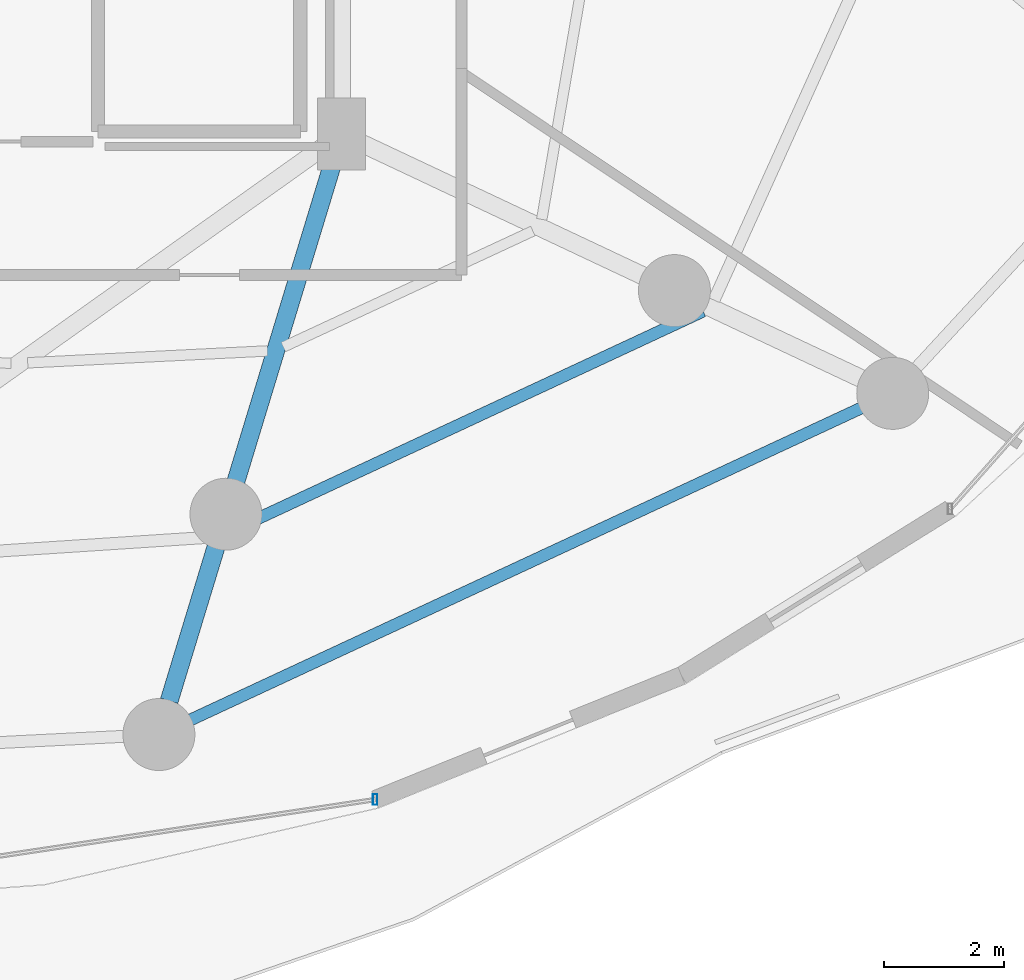
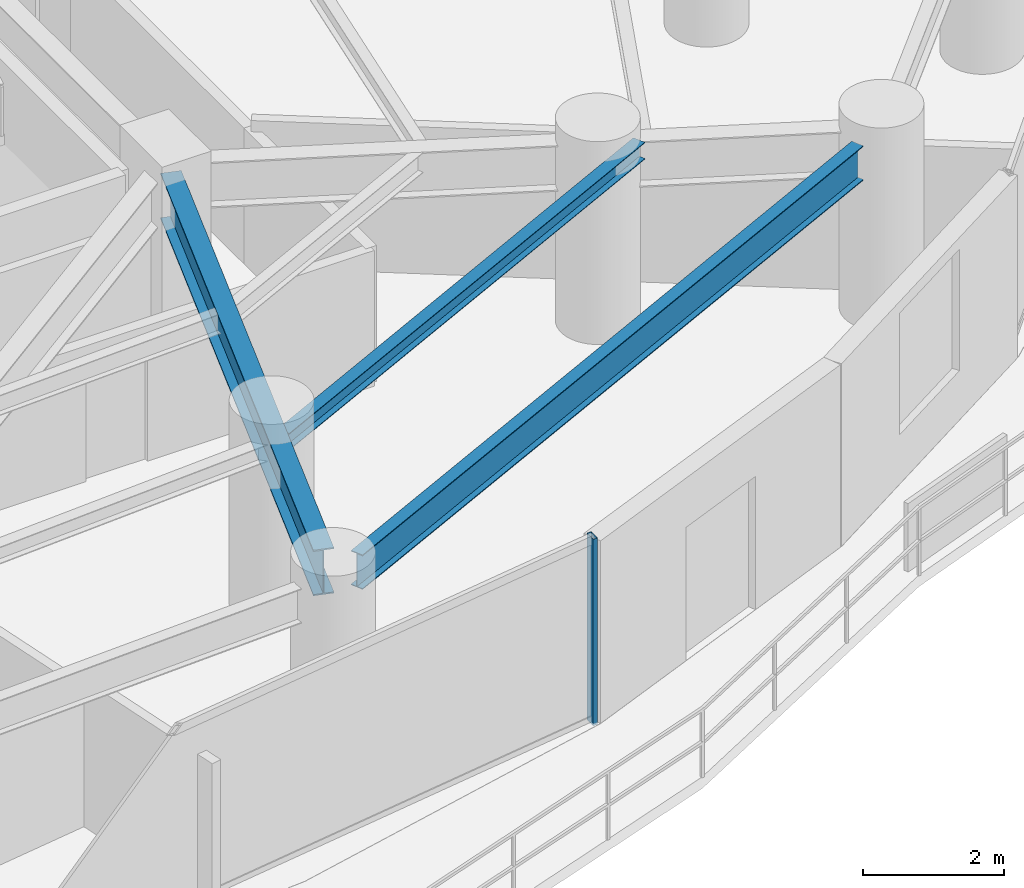
# One storey, part 12 of 34: 3 beams, 1 member, 1 element without a shape of its own.
"""IFC4 building model written with IfcOpenShell, lengths in metres."""

import ifcopenshell
import ifcopenshell.guid

model = None  # the IFC model being written
_history = None  # IfcOwnerHistory: only IFC2X3 demands one
_inside = {}  # id of a spatial element -> (the spatial element, [elements in it])
_under = {}  # id of a project, library or spatial element -> (it, [spatial elements below it])
_declared = {}  # id of a project -> (the project, [libraries it declares])
_typed = {}  # id of a type object -> (the type object, [elements of that type])
_made_of = {}  # id of a material, layer set ... -> (it, [elements and type objects made of it])


def new_model(schema):
    """Start an empty IFC model of exactly this schema.

    Asked for "IFC4X3", IfcOpenShell would pick the latest addendum, in which some entities
    have other attributes; the version numbers below select the first issue.
    IFC2X3 requires an IfcOwnerHistory on every rooted entity: one is made here for all.
    """
    global model, _history
    if schema == "IFC4X3":
        model = ifcopenshell.file(schema_version=(4, 3, 0, 0))
    else:
        model = ifcopenshell.file(schema=schema)
    _inside.clear()
    _under.clear()
    _declared.clear()
    _typed.clear()
    _made_of.clear()
    _history = None
    if model.schema == "IFC2X3":
        org = make("IfcOrganization", Name="unknown")
        user = make(
            "IfcPersonAndOrganization",
            ThePerson=make("IfcPerson", FamilyName="unknown"),
            TheOrganization=org,
        )
        app = make(
            "IfcApplication",
            ApplicationDeveloper=org,
            Version="unknown",
            ApplicationFullName="unknown",
            ApplicationIdentifier="unknown",
        )
        _history = make(
            "IfcOwnerHistory",
            OwningUser=user,
            OwningApplication=app,
            ChangeAction="ADDED",
            CreationDate=0,
        )
    return model


def make(cls, **values):
    """One entity of the class cls with the attributes given. An attribute that is None is left unset."""
    return model.create_entity(
        cls, **{name: value for name, value in values.items() if value is not None}
    )


def rooted(cls, **values):
    """An entity with a GlobalId (a new one), such as an element, a storey or a relation."""
    return make(cls, GlobalId=ifcopenshell.guid.new(), OwnerHistory=_history, **values)


def si_unit(unit_type, name, prefix=None):
    """IfcSIUnit, for example si_unit("LENGTHUNIT", "METRE", prefix="MILLI")."""
    return make("IfcSIUnit", UnitType=unit_type, Prefix=prefix, Name=name)


def assignment(units):
    """IfcUnitAssignment: the units of a project."""
    return None if units is None else make("IfcUnitAssignment", Units=units)


def point(xyz):
    """IfcCartesianPoint."""
    return None if xyz is None else make("IfcCartesianPoint", Coordinates=xyz)


def direction(xyz):
    """IfcDirection."""
    return None if xyz is None else make("IfcDirection", DirectionRatios=xyz)


def frame(location, z_axis=None, x_axis=None):
    """IfcAxis2Placement3D, a coordinate frame: its origin and axes. An axis left out is left unset."""
    return make(
        "IfcAxis2Placement3D",
        Location=point(location),
        Axis=direction(z_axis),
        RefDirection=direction(x_axis),
    )


def frame_2d(location, x_axis=None):
    """IfcAxis2Placement2D, a coordinate frame in the plane: its origin and x axis."""
    return make(
        "IfcAxis2Placement2D", Location=point(location), RefDirection=direction(x_axis)
    )


def origin():
    """The frame at (0, 0, 0) with its axes left unset."""
    return frame((0.0, 0.0, 0.0))


def origin_2d():
    """The frame at (0, 0) in the plane with its x axis left unset."""
    return frame_2d((0.0, 0.0))


def place(relative_to, where):
    """IfcLocalPlacement: puts the frame where relative to a parent placement (None: the world)."""
    return make(
        "IfcLocalPlacement", PlacementRelTo=relative_to, RelativePlacement=where
    )


def context(
    kind, dimensions, precision=None, world=None, true_north=None, identifier=None
):
    """IfcGeometricRepresentationContext, for example the 3D "Model" context."""
    return make(
        "IfcGeometricRepresentationContext",
        ContextIdentifier=identifier,
        ContextType=kind,
        CoordinateSpaceDimension=dimensions,
        Precision=precision,
        WorldCoordinateSystem=world,
        TrueNorth=true_north,
    )


def subcontext(parent, identifier, kind, view, scale=None):
    """IfcGeometricRepresentationSubContext, for example "Body" below "Model"."""
    return make(
        "IfcGeometricRepresentationSubContext",
        ContextIdentifier=identifier,
        ContextType=kind,
        ParentContext=parent,
        TargetScale=scale,
        TargetView=view,
    )


def project(units=None, contexts=None):
    """IfcProject with its units and contexts."""
    return rooted(
        "IfcProject",
        Name="project",
        RepresentationContexts=contexts,
        UnitsInContext=assignment(units),
    )


def spatial(cls, under=None, at=None, **own):
    """A site, building, storey or space (cls), placed at a placement, below another one or the project."""
    s = rooted(cls, ObjectPlacement=at, **own)
    if under is not None:
        _under.setdefault(under.id(), (under, []))[1].append(s)
    return s


def profile(cls, at=None, kind="AREA", **sizes):
    """A parametric profile (cls). Its sizes go by their IFC names, for example OverallWidth=200.0."""
    return make(cls, ProfileType=kind, Position=at, **sizes)


def hollow_rectangle(**sizes):
    """IfcRectangleHollowProfileDef."""
    return profile("IfcRectangleHollowProfileDef", **sizes)


def i_section(**sizes):
    """IfcIShapeProfileDef."""
    return profile("IfcIShapeProfileDef", **sizes)


def extrude(swept, where, along, depth):
    """IfcExtrudedAreaSolid: the profile swept, set in the frame where, extruded along a direction by depth."""
    return make(
        "IfcExtrudedAreaSolid",
        SweptArea=swept,
        Position=where,
        ExtrudedDirection=direction(along),
        Depth=depth,
    )


def shape(context_of_items, identifier, shape_type, items):
    """IfcShapeRepresentation: the items that make up one representation, for example the "Body"."""
    return make(
        "IfcShapeRepresentation",
        ContextOfItems=context_of_items,
        RepresentationIdentifier=identifier,
        RepresentationType=shape_type,
        Items=items,
    )


def material(Name=None, Category=None):
    """IfcMaterial."""
    return make("IfcMaterial", Name=Name, Category=Category)


def material_profile(
    of_material, cross_section, Name=None, Category=None, Priority=None
):
    """IfcMaterialProfile: a cross section and its material."""
    return make(
        "IfcMaterialProfile",
        Name=Name,
        Material=of_material,
        Profile=cross_section,
        Priority=Priority,
        Category=Category,
    )


def profile_set(profiles, Name=None, composite=None):
    """IfcMaterialProfileSet."""
    return make(
        "IfcMaterialProfileSet",
        Name=Name,
        MaterialProfiles=profiles,
        CompositeProfile=composite,
    )


def made_of(thing, what):
    """Note that an element or type object is made of a material, layer set ...; save() writes the relation."""
    if what is not None:
        _made_of.setdefault(what.id(), (what, []))[1].append(thing)
    return thing


def type_object(cls, material=None, **own):
    """A type object (cls), such as IfcWallType, which elements share."""
    return made_of(rooted(cls, **own), material)


def element(
    cls,
    number,
    at=None,
    inside=None,
    cuts=None,
    type_object=None,
    material=None,
    context=None,
    identifier="Body",
    shape_type=None,
    held_by="IfcProductDefinitionShape",
    body=None,
    shapes=None,
    **own,
):
    """One element of the class cls, such as IfcWall. Its Tag is "e" and its number.

    at: its placement. inside: the storey or other place that contains it. cuts: it is an
    opening in that element (IfcRelVoidsElement). A single representation is given by context,
    identifier, shape_type and body (its items); several are given by shapes. held_by: the class
    of the entity that holds the representations. save() writes the other relations.
    """
    e = rooted(cls, Tag="e%d" % number, ObjectPlacement=at, **own)
    if body is not None:
        shapes = [shape(context, identifier, shape_type, body)]
    if shapes is not None:
        e.Representation = make(held_by, Representations=shapes)
    if inside is not None:
        _inside.setdefault(inside.id(), (inside, []))[1].append(e)
    if cuts is not None:
        rooted(
            "IfcRelVoidsElement", RelatingBuildingElement=cuts, RelatedOpeningElement=e
        )
    if type_object is not None:
        _typed.setdefault(type_object.id(), (type_object, []))[1].append(e)
    return made_of(e, material)


def aggregate(whole, parts):
    """IfcRelAggregates: a whole, such as a stair, and the parts it consists of."""
    return rooted("IfcRelAggregates", RelatingObject=whole, RelatedObjects=parts)


def save(model, path):
    """Write the relations noted so far, then the file.

    IfcRelAggregates (storeys below a building ...), IfcRelContainedInSpatialStructure (elements
    in a storey), IfcRelDefinesByType, IfcRelAssociatesMaterial and IfcRelDeclares: one each for
    every whole, place, type object, material and project.
    """
    for whole, parts in _under.values():
        aggregate(whole, parts)
    for where, things in _inside.values():
        rooted(
            "IfcRelContainedInSpatialStructure",
            RelatedElements=things,
            RelatingStructure=where,
        )
    for kind, things in _typed.values():
        rooted("IfcRelDefinesByType", RelatedObjects=things, RelatingType=kind)
    for what, things in _made_of.values():
        rooted("IfcRelAssociatesMaterial", RelatedObjects=things, RelatingMaterial=what)
    for by, libraries in _declared.values():
        rooted("IfcRelDeclares", RelatingContext=by, RelatedDefinitions=libraries)
    model.write(path)


model = new_model("IFC4")

# Units and contexts
model_context = context("Model", 3, precision=1e-05, world=origin(), true_north=direction((0.0, 1.0)))
body_context = subcontext(model_context, "Body", "Model", "MODEL_VIEW")
ifc_project = project(units=[si_unit("LENGTHUNIT", "METRE"), si_unit("AREAUNIT", "SQUARE_METRE"), si_unit("VOLUMEUNIT", "CUBIC_METRE"), si_unit("PLANEANGLEUNIT", "RADIAN"), si_unit("MASSUNIT", "GRAM", prefix="KILO")], contexts=[model_context])

# Site, building, storey
site_placement = place(None, origin())
site = spatial("IfcSite", under=ifc_project, at=site_placement, CompositionType="ELEMENT")
building_placement = place(site_placement, origin())
building = spatial("IfcBuilding", under=site, at=building_placement, Name="Vorneva Point Tower", CompositionType="ELEMENT")
storey_placement = place(building_placement, frame((0.0, 0.0, 66.0)))
storey = spatial("IfcBuildingStorey", under=building, at=storey_placement, Name="L17", CompositionType="ELEMENT", Elevation=66.0)

# Beams
ifc_material_1 = material(Name="Steel S355", Category="steel")
ifc_material_profile_1 = material_profile(ifc_material_1, i_section(OverallWidth=0.300048828125, OverallDepth=0.7880859375, WebThickness=0.014404296875, FlangeThickness=0.02197265625, at=origin_2d()), Name="80Sh1")
ifc_profile_set_1 = profile_set([ifc_material_profile_1], Name="Steel S355")
beam_type_1 = type_object("IfcBeamType", Name="BM-GRD-80Sh1", PredefinedType="USERDEFINED", material=ifc_profile_set_1)
beam_1_placement = place(storey_placement, frame((45.874267578125, 6.997802734375, 2.756103515625), z_axis=(0.29105061459, 0.956707656365, 0.0), x_axis=(-0.956707656365, 0.29105061459, 0.0)))
element("IfcBeam", 1, at=beam_1_placement, inside=storey, type_object=beam_type_1, Name="L17 Radial Primary Girder 14", ObjectType="GIRDER", PredefinedType="USERDEFINED", context=body_context, shape_type="SweptSolid", body=[
    extrude(i_section(OverallWidth=0.300048828125, OverallDepth=0.7880859375, WebThickness=0.014404296875, FlangeThickness=0.02197265625, at=origin_2d()), origin(), (0.0, 0.0, 1.0), 9.5400390625),
])
ifc_material_profile_2 = material_profile(ifc_material_1, i_section(OverallWidth=0.199951171875, OverallDepth=0.291015625, WebThickness=0.008056640625, FlangeThickness=0.010986328125, at=origin_2d()), Name="30Sh1")
ifc_profile_set_2 = profile_set([ifc_material_profile_2], Name="Steel S355")
beam_type_2 = type_object("IfcBeamType", Name="BM-SEC-30Sh1", PredefinedType="BEAM", material=ifc_profile_set_2)
beam_2_placement = place(storey_placement, frame((46.832275390625, 9.794189453125, 3.00439453125), z_axis=(0.906447691893, 0.422318105061, 0.0), x_axis=(-0.422318105061, 0.906447691893, 0.0)))
element("IfcBeam", 2, at=beam_2_placement, inside=storey, type_object=beam_type_2, Name="L17 Secondary Floor Beam 1.14", PredefinedType="BEAM", context=body_context, shape_type="SweptSolid", body=[
    extrude(i_section(OverallWidth=0.199951171875, OverallDepth=0.291015625, WebThickness=0.008056640625, FlangeThickness=0.010986328125, at=origin_2d()), origin(), (0.0, 0.0, 1.0), 8.764404296875),
])
ifc_material_profile_3 = material_profile(ifc_material_1, i_section(OverallWidth=0.198974609375, OverallDepth=0.595947265625, WebThickness=0.010009765625, FlangeThickness=0.014892578125, at=origin_2d()), Name="60B1")
ifc_profile_set_3 = profile_set([ifc_material_profile_3], Name="Steel S355")
beam_type_3 = type_object("IfcBeamType", Name="BM-SPN-60B1", PredefinedType="SPANDREL", material=ifc_profile_set_3)
beam_3_placement = place(storey_placement, frame((46.233642578125, 6.681884765625, 2.85205078125), z_axis=(0.906772901024, 0.421619385191, 0.0), x_axis=(-0.421619385191, 0.906772901024, 0.0)))
element("IfcBeam", 3, at=beam_3_placement, inside=storey, type_object=beam_type_3, Name="L17 Perimeter Spandrel Ring Beam 14", PredefinedType="SPANDREL", context=body_context, shape_type="SweptSolid", body=[
    extrude(i_section(OverallWidth=0.198974609375, OverallDepth=0.595947265625, WebThickness=0.010009765625, FlangeThickness=0.014892578125, at=origin_2d()), origin(), (0.0, 0.0, 1.0), 12.323486328125),
])

# Curtain wall, member
ifc_material_2 = material(Name="Pale anodised aluminium", Category="aluminium")
curtain_wall_type = type_object("IfcCurtainWallType", Name="CW-HTL-SYS", PredefinedType="NOTDEFINED", material=ifc_material_2)
curtain_wall_placement = place(storey_placement, origin())
curtain_wall = element("IfcCurtainWall", 4, at=curtain_wall_placement, inside=storey, type_object=curtain_wall_type, Name="L17 Unitised Curtain Wall CW-L17-R04", PredefinedType="NOTDEFINED")
ifc_material_profile_4 = material_profile(ifc_material_2, hollow_rectangle(XDim=0.074951171875, YDim=0.179931640625, WallThickness=0.00390625, at=origin_2d()), Name="AL-MUL 180x75x4")
ifc_profile_set_4 = profile_set([ifc_material_profile_4], Name="Pale anodised aluminium")
member_type = type_object("IfcMemberType", Name="CW-MUL-180", PredefinedType="MULLION", material=ifc_profile_set_4)
member_placement = place(storey_placement, frame((49.308349609375, 5.351318359375, -0.0400390625), z_axis=(0.0, 0.0, 1.0), x_axis=(1.0, 0.0, 0.0)))
member = element("IfcMember", 5, at=member_placement, type_object=member_type, Name="CW-L17-R04 Mullion 04", PredefinedType="MULLION", context=body_context, shape_type="SweptSolid", body=[
    extrude(hollow_rectangle(XDim=0.074951171875, YDim=0.179931640625, WallThickness=0.00390625, at=origin_2d()), origin(), (0.0, 0.0, 1.0), 3.219970703125),
])
aggregate(curtain_wall, [member])

save(model, "model.ifc")
